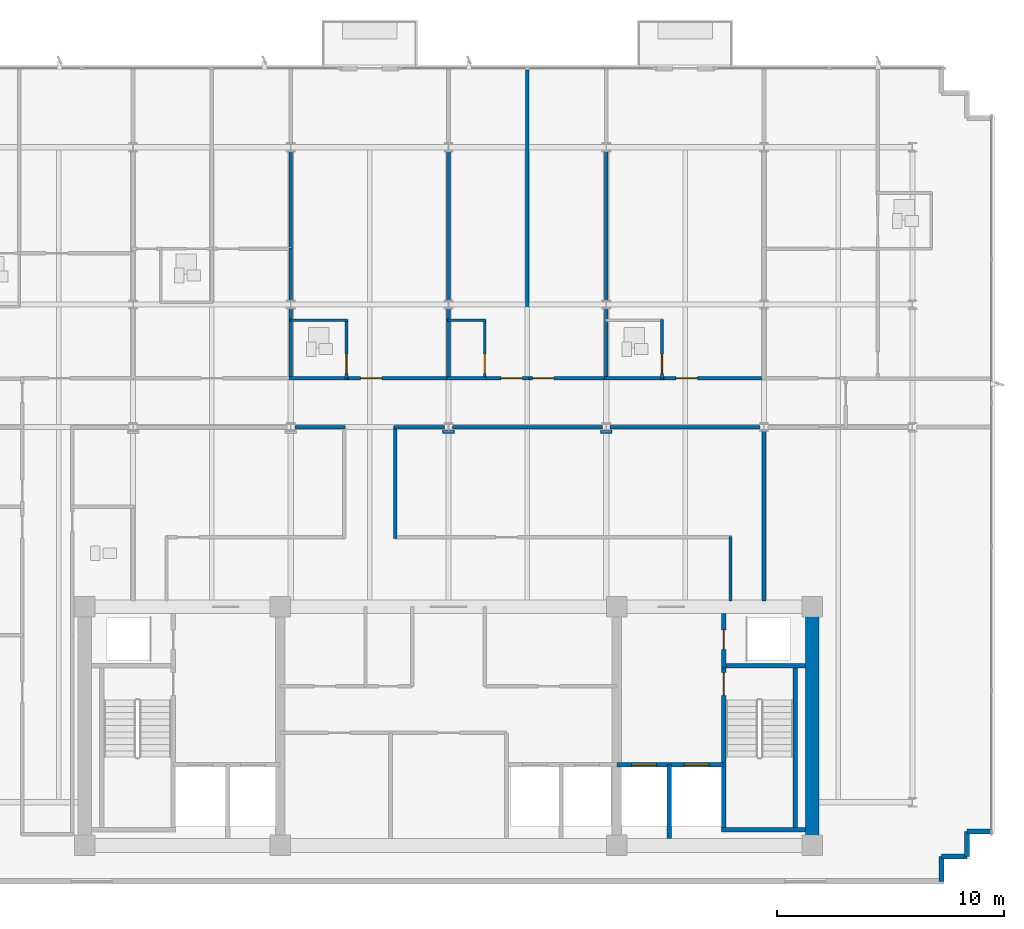
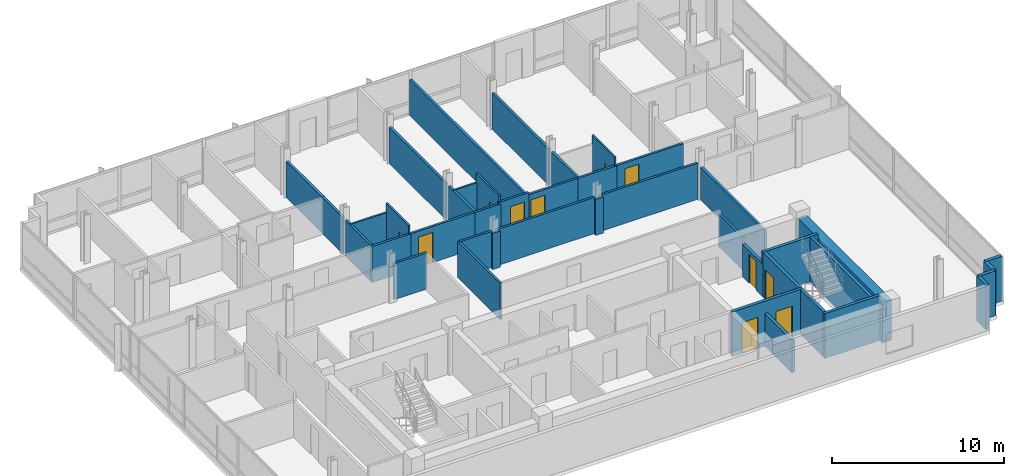
# One storey, part 10 of 14: 41 walls, 11 doors, 11 openings.
"""IFC4 building model written with IfcOpenShell, lengths in metres."""

import ifcopenshell
import ifcopenshell.guid

model = None  # the IFC model being written
_history = None  # IfcOwnerHistory: only IFC2X3 demands one
_inside = {}  # id of a spatial element -> (the spatial element, [elements in it])
_under = {}  # id of a project, library or spatial element -> (it, [spatial elements below it])
_declared = {}  # id of a project -> (the project, [libraries it declares])
_typed = {}  # id of a type object -> (the type object, [elements of that type])
_made_of = {}  # id of a material, layer set ... -> (it, [elements and type objects made of it])


def new_model(schema):
    """Start an empty IFC model of exactly this schema.

    Asked for "IFC4X3", IfcOpenShell would pick the latest addendum, in which some entities
    have other attributes; the version numbers below select the first issue.
    IFC2X3 requires an IfcOwnerHistory on every rooted entity: one is made here for all.
    """
    global model, _history
    if schema == "IFC4X3":
        model = ifcopenshell.file(schema_version=(4, 3, 0, 0))
    else:
        model = ifcopenshell.file(schema=schema)
    _inside.clear()
    _under.clear()
    _declared.clear()
    _typed.clear()
    _made_of.clear()
    _history = None
    if model.schema == "IFC2X3":
        org = make("IfcOrganization", Name="unknown")
        user = make(
            "IfcPersonAndOrganization",
            ThePerson=make("IfcPerson", FamilyName="unknown"),
            TheOrganization=org,
        )
        app = make(
            "IfcApplication",
            ApplicationDeveloper=org,
            Version="unknown",
            ApplicationFullName="unknown",
            ApplicationIdentifier="unknown",
        )
        _history = make(
            "IfcOwnerHistory",
            OwningUser=user,
            OwningApplication=app,
            ChangeAction="ADDED",
            CreationDate=0,
        )
    return model


def make(cls, **values):
    """One entity of the class cls with the attributes given. An attribute that is None is left unset."""
    return model.create_entity(
        cls, **{name: value for name, value in values.items() if value is not None}
    )


def rooted(cls, **values):
    """An entity with a GlobalId (a new one), such as an element, a storey or a relation."""
    return make(cls, GlobalId=ifcopenshell.guid.new(), OwnerHistory=_history, **values)


def si_unit(unit_type, name, prefix=None):
    """IfcSIUnit, for example si_unit("LENGTHUNIT", "METRE", prefix="MILLI")."""
    return make("IfcSIUnit", UnitType=unit_type, Prefix=prefix, Name=name)


def assignment(units):
    """IfcUnitAssignment: the units of a project."""
    return None if units is None else make("IfcUnitAssignment", Units=units)


def point(xyz):
    """IfcCartesianPoint."""
    return None if xyz is None else make("IfcCartesianPoint", Coordinates=xyz)


def direction(xyz):
    """IfcDirection."""
    return None if xyz is None else make("IfcDirection", DirectionRatios=xyz)


def frame(location, z_axis=None, x_axis=None):
    """IfcAxis2Placement3D, a coordinate frame: its origin and axes. An axis left out is left unset."""
    return make(
        "IfcAxis2Placement3D",
        Location=point(location),
        Axis=direction(z_axis),
        RefDirection=direction(x_axis),
    )


def frame_2d(location, x_axis=None):
    """IfcAxis2Placement2D, a coordinate frame in the plane: its origin and x axis."""
    return make(
        "IfcAxis2Placement2D", Location=point(location), RefDirection=direction(x_axis)
    )


def origin():
    """The frame at (0, 0, 0) with its axes left unset."""
    return frame((0.0, 0.0, 0.0))


def place(relative_to, where):
    """IfcLocalPlacement: puts the frame where relative to a parent placement (None: the world)."""
    return make(
        "IfcLocalPlacement", PlacementRelTo=relative_to, RelativePlacement=where
    )


def context(
    kind, dimensions, precision=None, world=None, true_north=None, identifier=None
):
    """IfcGeometricRepresentationContext, for example the 3D "Model" context."""
    return make(
        "IfcGeometricRepresentationContext",
        ContextIdentifier=identifier,
        ContextType=kind,
        CoordinateSpaceDimension=dimensions,
        Precision=precision,
        WorldCoordinateSystem=world,
        TrueNorth=true_north,
    )


def subcontext(parent, identifier, kind, view, scale=None):
    """IfcGeometricRepresentationSubContext, for example "Body" below "Model"."""
    return make(
        "IfcGeometricRepresentationSubContext",
        ContextIdentifier=identifier,
        ContextType=kind,
        ParentContext=parent,
        TargetScale=scale,
        TargetView=view,
    )


def project(units=None, contexts=None):
    """IfcProject with its units and contexts."""
    return rooted(
        "IfcProject",
        Name="project",
        RepresentationContexts=contexts,
        UnitsInContext=assignment(units),
    )


def spatial(cls, under=None, at=None, **own):
    """A site, building, storey or space (cls), placed at a placement, below another one or the project."""
    s = rooted(cls, ObjectPlacement=at, **own)
    if under is not None:
        _under.setdefault(under.id(), (under, []))[1].append(s)
    return s


def profile(cls, at=None, kind="AREA", **sizes):
    """A parametric profile (cls). Its sizes go by their IFC names, for example OverallWidth=200.0."""
    return make(cls, ProfileType=kind, Position=at, **sizes)


def rectangle(**sizes):
    """IfcRectangleProfileDef."""
    return profile("IfcRectangleProfileDef", **sizes)


def extrude(swept, where, along, depth):
    """IfcExtrudedAreaSolid: the profile swept, set in the frame where, extruded along a direction by depth."""
    return make(
        "IfcExtrudedAreaSolid",
        SweptArea=swept,
        Position=where,
        ExtrudedDirection=direction(along),
        Depth=depth,
    )


def shape(context_of_items, identifier, shape_type, items):
    """IfcShapeRepresentation: the items that make up one representation, for example the "Body"."""
    return make(
        "IfcShapeRepresentation",
        ContextOfItems=context_of_items,
        RepresentationIdentifier=identifier,
        RepresentationType=shape_type,
        Items=items,
    )


def material(Name=None, Category=None):
    """IfcMaterial."""
    return make("IfcMaterial", Name=Name, Category=Category)


def layer(
    of_material, thickness, ventilated=None, Name=None, Category=None, Priority=None
):
    """IfcMaterialLayer: one layer of a wall or slab, of a material (None: an air gap)."""
    return make(
        "IfcMaterialLayer",
        Material=of_material,
        LayerThickness=thickness,
        IsVentilated=ventilated,
        Name=Name,
        Category=Category,
        Priority=Priority,
    )


def layer_set(layers, Name=None):
    """IfcMaterialLayerSet."""
    return make("IfcMaterialLayerSet", MaterialLayers=layers, LayerSetName=Name)


def made_of(thing, what):
    """Note that an element or type object is made of a material, layer set ...; save() writes the relation."""
    if what is not None:
        _made_of.setdefault(what.id(), (what, []))[1].append(thing)
    return thing


def type_object(cls, material=None, **own):
    """A type object (cls), such as IfcWallType, which elements share."""
    return made_of(rooted(cls, **own), material)


def element(
    cls,
    number,
    at=None,
    inside=None,
    cuts=None,
    type_object=None,
    material=None,
    context=None,
    identifier="Body",
    shape_type=None,
    held_by="IfcProductDefinitionShape",
    body=None,
    shapes=None,
    **own,
):
    """One element of the class cls, such as IfcWall. Its Tag is "e" and its number.

    at: its placement. inside: the storey or other place that contains it. cuts: it is an
    opening in that element (IfcRelVoidsElement). A single representation is given by context,
    identifier, shape_type and body (its items); several are given by shapes. held_by: the class
    of the entity that holds the representations. save() writes the other relations.
    """
    e = rooted(cls, Tag="e%d" % number, ObjectPlacement=at, **own)
    if body is not None:
        shapes = [shape(context, identifier, shape_type, body)]
    if shapes is not None:
        e.Representation = make(held_by, Representations=shapes)
    if inside is not None:
        _inside.setdefault(inside.id(), (inside, []))[1].append(e)
    if cuts is not None:
        rooted(
            "IfcRelVoidsElement", RelatingBuildingElement=cuts, RelatedOpeningElement=e
        )
    if type_object is not None:
        _typed.setdefault(type_object.id(), (type_object, []))[1].append(e)
    return made_of(e, material)


def fill(opening, filler):
    """IfcRelFillsElement: the door or window that sits in an opening."""
    return rooted(
        "IfcRelFillsElement",
        RelatingOpeningElement=opening,
        RelatedBuildingElement=filler,
    )


def aggregate(whole, parts):
    """IfcRelAggregates: a whole, such as a stair, and the parts it consists of."""
    return rooted("IfcRelAggregates", RelatingObject=whole, RelatedObjects=parts)


def save(model, path):
    """Write the relations noted so far, then the file.

    IfcRelAggregates (storeys below a building ...), IfcRelContainedInSpatialStructure (elements
    in a storey), IfcRelDefinesByType, IfcRelAssociatesMaterial and IfcRelDeclares: one each for
    every whole, place, type object, material and project.
    """
    for whole, parts in _under.values():
        aggregate(whole, parts)
    for where, things in _inside.values():
        rooted(
            "IfcRelContainedInSpatialStructure",
            RelatedElements=things,
            RelatingStructure=where,
        )
    for kind, things in _typed.values():
        rooted("IfcRelDefinesByType", RelatedObjects=things, RelatingType=kind)
    for what, things in _made_of.values():
        rooted("IfcRelAssociatesMaterial", RelatedObjects=things, RelatingMaterial=what)
    for by, libraries in _declared.values():
        rooted("IfcRelDeclares", RelatingContext=by, RelatedDefinitions=libraries)
    model.write(path)


model = new_model("IFC4")

# Units and contexts
model_context = context("Model", 3, precision=1e-05, world=origin(), true_north=direction((0.0, 1.0)))
body_context = subcontext(model_context, "Body", "Model", "MODEL_VIEW")
ifc_project = project(units=[si_unit("LENGTHUNIT", "METRE"), si_unit("AREAUNIT", "SQUARE_METRE"), si_unit("VOLUMEUNIT", "CUBIC_METRE"), si_unit("PLANEANGLEUNIT", "RADIAN"), si_unit("MASSUNIT", "GRAM", prefix="KILO")], contexts=[model_context])

# Site, building, storey
site_placement = place(None, origin())
site = spatial("IfcSite", under=ifc_project, at=site_placement, CompositionType="ELEMENT")
building_placement = place(site_placement, origin())
building = spatial("IfcBuilding", under=site, at=building_placement, Name="Solmavex Isthmus Hotel", CompositionType="ELEMENT")
storey_placement = place(building_placement, frame((0.0, 0.0, 248.85009765625)))
storey = spatial("IfcBuildingStorey", under=building, at=storey_placement, Name="L67", CompositionType="ELEMENT", Elevation=248.85009765625)

# Walls
ifc_material_1 = material(Name="Precast Concrete C40/50", Category="concrete")
ifc_layer_1 = layer(ifc_material_1, 0.25)
ifc_layer_set_1 = layer_set([ifc_layer_1], Name="Precast Concrete C40/50")
wall_type_1 = type_object("IfcWallType", Name="EW-TWR-250", PredefinedType="STANDARD", material=ifc_layer_set_1)
wall_1_placement = place(storey_placement, frame((23.889892578125, -12.389892578125, 0.0), z_axis=(0.0, 0.0, 1.0), x_axis=(-1.0, 0.0, 0.0)))
element("IfcWall", 1, at=wall_1_placement, inside=storey, type_object=wall_type_1, Name="Serrated Corner Facade Panel L67-16", PredefinedType="STANDARD", context=body_context, shape_type="SweptSolid", body=[
    extrude(rectangle(XDim=1.099853515625, YDim=0.219970703125, at=frame_2d((0.5498046875, 0.0))), origin(), (0.0, 0.0, 1.0), 3.18994140625),
])
for number, where, z_axis, x_axis, name in (
    (2, (22.7900390625, -12.389892578125, 0.0), (0.0, 0.0, 1.0), (0.0, -1.0, 0.0), "Serrated Corner Facade Panel L67-17"),
    (3, (22.7900390625, -13.489990234375, 0.0), (0.0, 0.0, 1.0), (-1.0, 0.0, 0.0), "Serrated Corner Facade Panel L67-18"),
    (4, (21.68994140625, -13.489990234375, 0.0), (0.0, 0.0, 1.0), (0.0, -1.0, 0.0), "Serrated Corner Facade Panel L67-19"),
):
    element("IfcWall", number, at=place(storey_placement, frame(where, z_axis=z_axis, x_axis=x_axis)), inside=storey, type_object=wall_type_1, Name=name, PredefinedType="STANDARD", context=body_context, shape_type="SweptSolid", body=[
        extrude(rectangle(XDim=1.10009765625, YDim=0.219970703125, at=frame_2d((0.550048828125, 0.0))), origin(), (0.0, 0.0, 1.0), 3.18994140625),
    ])
ifc_material_2 = material(Name="Gypsum plasterboard lining", Category="gypsum")
ifc_layer_2 = layer(ifc_material_2, 0.159912109375)
ifc_layer_set_2 = layer_set([ifc_layer_2], Name="Gypsum plasterboard lining")
wall_type_2 = type_object("IfcWallType", Name="IW-COMP-160", PredefinedType="PARTITIONING", material=ifc_layer_set_2)
wall_2_placement = place(storey_placement, frame((-6.93603515625, 10.613037109375, 0.0), z_axis=(0.0, 0.0, 1.0), x_axis=(0.0, -1.0, 0.0)))
element("IfcWall", 5, at=wall_2_placement, inside=storey, type_object=wall_type_2, Name="Interior Partition Wall W-L67-P055", PredefinedType="PARTITIONING", context=body_context, shape_type="SweptSolid", body=[
    extrude(rectangle(XDim=3.10302734375, YDim=0.159912109375, at=frame_2d((1.551513671875, 0.0))), origin(), (0.0, 0.0, 1.0), 2.572265625),
])
wall_3_placement = place(storey_placement, frame((-6.93603515625, 13.278076171875, 0.0), z_axis=(0.0, 0.0, 1.0), x_axis=(0.0, -1.0, 0.0)))
element("IfcWall", 6, at=wall_3_placement, inside=storey, type_object=wall_type_2, Name="Interior Partition Wall W-L67-P056", PredefinedType="PARTITIONING", context=body_context, shape_type="SweptSolid", body=[
    extrude(rectangle(XDim=2.315185546875, YDim=0.159912109375, at=frame_2d((1.15771484375, 0.0))), origin(), (0.0, 0.0, 1.0), 2.572265625),
])
wall_4_placement = place(storey_placement, frame((-6.93603515625, 17.52490234375, 0.0), z_axis=(0.0, 0.0, 1.0), x_axis=(0.0, -1.0, 0.0)))
element("IfcWall", 7, at=wall_4_placement, inside=storey, type_object=wall_type_2, Name="Interior Partition Wall W-L67-P059", PredefinedType="PARTITIONING", context=body_context, shape_type="SweptSolid", body=[
    extrude(rectangle(XDim=4.326904296875, YDim=0.159912109375, at=frame_2d((2.16357421875, 0.0))), origin(), (0.0, 0.0, 1.0), 2.572265625),
])
wall_5_placement = place(storey_placement, frame((0.0, 10.613037109375, 0.0), z_axis=(0.0, 0.0, 1.0), x_axis=(0.0, -1.0, 0.0)))
element("IfcWall", 8, at=wall_5_placement, inside=storey, type_object=wall_type_2, Name="Interior Partition Wall W-L67-P063", PredefinedType="PARTITIONING", context=body_context, shape_type="SweptSolid", body=[
    extrude(rectangle(XDim=3.10302734375, YDim=0.159912109375, at=frame_2d((1.551513671875, 0.0))), origin(), (0.0, 0.0, 1.0), 2.572265625),
])
wall_6_placement = place(storey_placement, frame((0.0, 17.52490234375, 0.0), z_axis=(0.0, 0.0, 1.0), x_axis=(0.0, -1.0, 0.0)))
element("IfcWall", 9, at=wall_6_placement, inside=storey, type_object=wall_type_2, Name="Interior Partition Wall W-L67-P064", PredefinedType="PARTITIONING", context=body_context, shape_type="SweptSolid", body=[
    extrude(rectangle(XDim=6.56201171875, YDim=0.159912109375, at=frame_2d((3.281005859375, 0.0))), origin(), (0.0, 0.0, 1.0), 2.572265625),
])
wall_7_placement = place(storey_placement, frame((3.468017578125, 21.10009765625, 0.0), z_axis=(0.0, 0.0, 1.0), x_axis=(0.0, -1.0, 0.0)))
element("IfcWall", 10, at=wall_7_placement, inside=storey, type_object=wall_type_2, Name="Interior Partition Wall W-L67-P068", PredefinedType="PARTITIONING", context=body_context, shape_type="SweptSolid", body=[
    extrude(rectangle(XDim=13.590087890625, YDim=0.159912109375, at=frame_2d((6.794921875, 0.0))), origin(), (0.0, 0.0, 1.0), 2.557373046875),
])
wall_8_placement = place(storey_placement, frame((6.93603515625, 10.613037109375, 0.0), z_axis=(0.0, 0.0, 1.0), x_axis=(0.0, -1.0, 0.0)))
element("IfcWall", 11, at=wall_8_placement, inside=storey, type_object=wall_type_2, Name="Interior Partition Wall W-L67-P069", PredefinedType="PARTITIONING", context=body_context, shape_type="SweptSolid", body=[
    extrude(rectangle(XDim=3.10302734375, YDim=0.159912109375, at=frame_2d((1.551513671875, 0.0))), origin(), (0.0, 0.0, 1.0), 2.572265625),
])
wall_9_placement = place(storey_placement, frame((6.93603515625, 17.52490234375, 0.0), z_axis=(0.0, 0.0, 1.0), x_axis=(0.0, -1.0, 0.0)))
element("IfcWall", 12, at=wall_9_placement, inside=storey, type_object=wall_type_2, Name="Interior Partition Wall W-L67-P070", PredefinedType="PARTITIONING", context=body_context, shape_type="SweptSolid", body=[
    extrude(rectangle(XDim=6.56201171875, YDim=0.159912109375, at=frame_2d((3.281005859375, 0.0))), origin(), (0.0, 0.0, 1.0), 2.572265625),
])
wall_10_placement = place(storey_placement, frame((13.8720703125, 5.22509765625, 0.0), z_axis=(0.0, 0.0, 1.0), x_axis=(0.0, -1.0, 0.0)))
element("IfcWall", 13, at=wall_10_placement, inside=storey, type_object=wall_type_2, Name="Interior Partition Wall W-L67-P095", PredefinedType="PARTITIONING", context=body_context, shape_type="SweptSolid", body=[
    extrude(rectangle(XDim=7.465087890625, YDim=0.159912109375, at=frame_2d((3.732421875, 0.0))), origin(), (0.0, 0.0, 1.0), 2.324951171875),
])

# Wall, opening, door
ifc_layer_3 = layer(ifc_material_2, 0.14990234375)
ifc_layer_set_3 = layer_set([ifc_layer_3], Name="Gypsum plasterboard lining")
wall_type_3 = type_object("IfcWallType", Name="IW-CORR-150", PredefinedType="PARTITIONING", material=ifc_layer_set_3)
wall_11_placement = place(storey_placement, frame((-4.568115234375, 7.550048828125, 0.0), z_axis=(0.0, 0.0, 1.0), x_axis=(1.0, 0.0, 0.0)))
wall_11 = element("IfcWall", 14, at=wall_11_placement, inside=storey, type_object=wall_type_3, Name="Interior Partition Wall W-L67-P003", PredefinedType="PARTITIONING", context=body_context, shape_type="SweptSolid", body=[
    extrude(rectangle(XDim=4.650146484375, YDim=0.14990234375, at=frame_2d((2.3251953125, 0.0))), origin(), (0.0, 0.0, 1.0), 2.572265625),
])
opening_1_placement = place(wall_11_placement, frame((0.698486328125, 0.0, 0.0)))
opening_1 = element("IfcOpeningElement", 15, at=opening_1_placement, cuts=wall_11, Name="Opening ID-C095", PredefinedType="OPENING", context=body_context, shape_type="SweptSolid", body=[
    extrude(rectangle(XDim=0.949951171875, YDim=2.14990234375, at=frame_2d((0.47509765625, 1.074951171875))), frame((0.0, 0.0849609375, 0.0), z_axis=(0.0, -1.0, 0.0), x_axis=(1.0, 0.0, 0.0)), (0.0, 0.0, 1.0), 0.169921875),
])
ifc_material_3 = material(Name="Hardwood timber", Category="wood")
door_type_1 = type_object("IfcDoorType", Name="IDR-FD60-0950", OperationType="NOTDEFINED", PredefinedType="DOOR", material=ifc_material_3)
door_1_placement = place(opening_1_placement, origin())
door_1 = element("IfcDoor", 16, at=door_1_placement, inside=storey, type_object=door_type_1, Name="Premier Suite Door L67-09", OperationType="SINGLE_SWING_LEFT", OverallHeight=2.14990234375, OverallWidth=0.949951171875, PredefinedType="DOOR", context=body_context, shape_type="SweptSolid", body=[
    extrude(rectangle(XDim=0.949951171875, YDim=2.14990234375, at=frame_2d((0.47509765625, 1.074951171875))), frame((0.0, 0.02490234375, 0.0), z_axis=(0.0, -1.0, 0.0), x_axis=(1.0, 0.0, 0.0)), (0.0, 0.0, 1.0), 0.050048828125),
])
fill(opening_1, door_1)

# Wall
wall_12_placement = place(storey_placement, frame((-7.01806640625, 7.550048828125, 0.0), z_axis=(0.0, 0.0, 1.0), x_axis=(1.0, 0.0, 0.0)))
element("IfcWall", 17, at=wall_12_placement, inside=storey, type_object=wall_type_3, Name="Interior Partition Wall W-L67-P004", PredefinedType="PARTITIONING", context=body_context, shape_type="SweptSolid", body=[
    extrude(rectangle(XDim=2.614013671875, YDim=0.14990234375, at=frame_2d((1.30712890625, 0.0))), origin(), (0.0, 0.0, 1.0), 2.572265625),
])

# Wall, opening, door
wall_13_placement = place(storey_placement, frame((1.51318359375, 7.550048828125, 0.0), z_axis=(0.0, 0.0, 1.0), x_axis=(1.0, 0.0, 0.0)))
wall_13 = element("IfcWall", 18, at=wall_13_placement, inside=storey, type_object=wall_type_3, Name="Interior Partition Wall W-L67-P005", PredefinedType="PARTITIONING", context=body_context, shape_type="SweptSolid", body=[
    extrude(rectangle(XDim=2.036865234375, YDim=0.14990234375, at=frame_2d((1.0185546875, 0.0))), origin(), (0.0, 0.0, 1.0), 2.718017578125),
])
opening_2_placement = place(wall_13_placement, frame((0.789794921875, 0.0, 0.0)))
opening_2 = element("IfcOpeningElement", 19, at=opening_2_placement, cuts=wall_13, Name="Opening ID-C095", PredefinedType="OPENING", context=body_context, shape_type="SweptSolid", body=[
    extrude(rectangle(XDim=0.949951171875, YDim=2.14990234375, at=frame_2d((0.47509765625, 1.074951171875))), frame((0.0, 0.0849609375, 0.0), z_axis=(0.0, -1.0, 0.0), x_axis=(1.0, 0.0, 0.0)), (0.0, 0.0, 1.0), 0.169921875),
])
door_2_placement = place(opening_2_placement, origin())
door_2 = element("IfcDoor", 20, at=door_2_placement, inside=storey, type_object=door_type_1, Name="Diplomatic Suite Door L67-11", OperationType="SINGLE_SWING_LEFT", OverallHeight=2.14990234375, OverallWidth=0.949951171875, PredefinedType="DOOR", context=body_context, shape_type="SweptSolid", body=[
    extrude(rectangle(XDim=0.949951171875, YDim=2.14990234375, at=frame_2d((0.47509765625, 1.074951171875))), frame((0.0, 0.02490234375, 0.0), z_axis=(0.0, -1.0, 0.0), x_axis=(1.0, 0.0, 0.0)), (0.0, 0.0, 1.0), 0.050048828125),
])
fill(opening_2, door_2)

# Wall
wall_14_placement = place(storey_placement, frame((-0.08203125, 7.550048828125, 0.0), z_axis=(0.0, 0.0, 1.0), x_axis=(1.0, 0.0, 0.0)))
element("IfcWall", 21, at=wall_14_placement, inside=storey, type_object=wall_type_3, Name="Interior Partition Wall W-L67-P006", PredefinedType="PARTITIONING", context=body_context, shape_type="SweptSolid", body=[
    extrude(rectangle(XDim=1.75927734375, YDim=0.14990234375, at=frame_2d((0.879638671875, 0.0))), origin(), (0.0, 0.0, 1.0), 2.572265625),
])

# Wall, opening, door
wall_15_placement = place(storey_placement, frame((3.385986328125, 7.550048828125, 0.0), z_axis=(0.0, 0.0, 1.0), x_axis=(1.0, 0.0, 0.0)))
wall_15 = element("IfcWall", 22, at=wall_15_placement, inside=storey, type_object=wall_type_3, Name="Interior Partition Wall W-L67-P007", PredefinedType="PARTITIONING", context=body_context, shape_type="SweptSolid", body=[
    extrude(rectangle(XDim=3.632080078125, YDim=0.14990234375, at=frame_2d((1.81591796875, 0.0))), origin(), (0.0, 0.0, 1.0), 2.572265625),
])
opening_3_placement = place(wall_15_placement, frame((0.296630859375, 0.0, 0.0)))
opening_3 = element("IfcOpeningElement", 23, at=opening_3_placement, cuts=wall_15, Name="Opening ID-C095", PredefinedType="OPENING", context=body_context, shape_type="SweptSolid", body=[
    extrude(rectangle(XDim=0.949951171875, YDim=2.14990234375, at=frame_2d((0.47509765625, 1.074951171875))), frame((0.0, 0.0849609375, 0.0), z_axis=(0.0, -1.0, 0.0), x_axis=(1.0, 0.0, 0.0)), (0.0, 0.0, 1.0), 0.169921875),
])
door_3_placement = place(opening_3_placement, origin())
door_3 = element("IfcDoor", 24, at=door_3_placement, inside=storey, type_object=door_type_1, Name="Hospitality Club Lounge Door L67-13", OperationType="SINGLE_SWING_LEFT", OverallHeight=2.14990234375, OverallWidth=0.949951171875, PredefinedType="DOOR", context=body_context, shape_type="SweptSolid", body=[
    extrude(rectangle(XDim=0.949951171875, YDim=2.14990234375, at=frame_2d((0.47509765625, 1.074951171875))), frame((0.0, 0.02490234375, 0.0), z_axis=(0.0, -1.0, 0.0), x_axis=(1.0, 0.0, 0.0)), (0.0, 0.0, 1.0), 0.050048828125),
])
fill(opening_3, door_3)

wall_16_placement = place(storey_placement, frame((9.303955078125, 7.550048828125, 0.0), z_axis=(0.0, 0.0, 1.0), x_axis=(1.0, 0.0, 0.0)))
wall_16 = element("IfcWall", 25, at=wall_16_placement, inside=storey, type_object=wall_type_3, Name="Interior Partition Wall W-L67-P008", PredefinedType="PARTITIONING", context=body_context, shape_type="SweptSolid", body=[
    extrude(rectangle(XDim=4.650146484375, YDim=0.14990234375, at=frame_2d((2.3251953125, 0.0))), origin(), (0.0, 0.0, 1.0), 2.572265625),
])
opening_4_placement = place(wall_16_placement, frame((0.698486328125, 0.0, 0.0)))
opening_4 = element("IfcOpeningElement", 26, at=opening_4_placement, cuts=wall_16, Name="Opening ID-C095", PredefinedType="OPENING", context=body_context, shape_type="SweptSolid", body=[
    extrude(rectangle(XDim=0.949951171875, YDim=2.14990234375, at=frame_2d((0.47509765625, 1.074951171875))), frame((0.0, 0.0849609375, 0.0), z_axis=(0.0, -1.0, 0.0), x_axis=(1.0, 0.0, 0.0)), (0.0, 0.0, 1.0), 0.169921875),
])
door_4_placement = place(opening_4_placement, origin())
door_4 = element("IfcDoor", 27, at=door_4_placement, inside=storey, type_object=door_type_1, Name="Premier Suite Door L67-14", OperationType="SINGLE_SWING_RIGHT", OverallHeight=2.14990234375, OverallWidth=0.949951171875, PredefinedType="DOOR", context=body_context, shape_type="SweptSolid", body=[
    extrude(rectangle(XDim=0.949951171875, YDim=2.14990234375, at=frame_2d((0.47509765625, 1.074951171875))), frame((0.0, 0.02490234375, 0.0), z_axis=(0.0, -1.0, 0.0), x_axis=(1.0, 0.0, 0.0)), (0.0, 0.0, 1.0), 0.050048828125),
])
fill(opening_4, door_4)

# Walls
wall_17_placement = place(storey_placement, frame((6.85400390625, 7.550048828125, 0.0), z_axis=(0.0, 0.0, 1.0), x_axis=(1.0, 0.0, 0.0)))
element("IfcWall", 28, at=wall_17_placement, inside=storey, type_object=wall_type_3, Name="Interior Partition Wall W-L67-P009", PredefinedType="PARTITIONING", context=body_context, shape_type="SweptSolid", body=[
    extrude(rectangle(XDim=2.614013671875, YDim=0.14990234375, at=frame_2d((1.30712890625, 0.0))), origin(), (0.0, 0.0, 1.0), 2.572265625),
])
wall_18_placement = place(storey_placement, frame((-4.548095703125, 5.39990234375, 0.0), z_axis=(0.0, 0.0, 1.0), x_axis=(-1.0, 0.0, 0.0)))
element("IfcWall", 29, at=wall_18_placement, inside=storey, type_object=wall_type_3, Name="Interior Partition Wall W-L67-P019", PredefinedType="PARTITIONING", context=body_context, shape_type="SweptSolid", body=[
    extrude(rectangle(XDim=2.212890625, YDim=0.14990234375, at=frame_2d((1.1064453125, 0.0))), origin(), (0.0, 0.0, 1.0), 2.572265625),
])
wall_19_placement = place(storey_placement, frame((13.697021484375, 5.39990234375, 0.0), z_axis=(0.0, 0.0, 1.0), x_axis=(-1.0, 0.0, 0.0)))
element("IfcWall", 30, at=wall_19_placement, inside=storey, type_object=wall_type_3, Name="Interior Partition Wall W-L67-P025", PredefinedType="PARTITIONING", context=body_context, shape_type="SweptSolid", body=[
    extrude(rectangle(XDim=6.5859375, YDim=0.14990234375, at=frame_2d((3.29296875, 0.0))), origin(), (0.0, 0.0, 1.0), 2.572265625),
])
wall_20_placement = place(storey_placement, frame((7.19091796875, 5.18505859375, 0.0), z_axis=(0.0, 0.0, 1.0), x_axis=(-1.0, 0.0, 0.0)))
element("IfcWall", 31, at=wall_20_placement, inside=storey, type_object=wall_type_3, Name="Interior Partition Wall W-L67-P026", PredefinedType="PARTITIONING", context=body_context, shape_type="SweptSolid", body=[
    extrude(rectangle(XDim=0.510009765625, YDim=0.14990234375, at=frame_2d((0.2548828125, 0.0))), origin(), (0.0, 0.0, 1.0), 2.572265625),
])
wall_21_placement = place(storey_placement, frame((6.760986328125, 5.39990234375, 0.0), z_axis=(0.0, 0.0, 1.0), x_axis=(-1.0, 0.0, 0.0)))
element("IfcWall", 32, at=wall_21_placement, inside=storey, type_object=wall_type_3, Name="Interior Partition Wall W-L67-P027", PredefinedType="PARTITIONING", context=body_context, shape_type="SweptSolid", body=[
    extrude(rectangle(XDim=6.5859375, YDim=0.14990234375, at=frame_2d((3.29296875, 0.0))), origin(), (0.0, 0.0, 1.0), 2.572265625),
])
wall_22_placement = place(storey_placement, frame((0.2548828125, 5.18505859375, 0.0), z_axis=(0.0, 0.0, 1.0), x_axis=(-1.0, 0.0, 0.0)))
element("IfcWall", 33, at=wall_22_placement, inside=storey, type_object=wall_type_3, Name="Interior Partition Wall W-L67-P028", PredefinedType="PARTITIONING", context=body_context, shape_type="SweptSolid", body=[
    extrude(rectangle(XDim=0.509765625, YDim=0.14990234375, at=frame_2d((0.2548828125, 0.0))), origin(), (0.0, 0.0, 1.0), 2.572265625),
])
wall_23_placement = place(storey_placement, frame((-0.175048828125, 5.39990234375, 0.0), z_axis=(0.0, 0.0, 1.0), x_axis=(-1.0, 0.0, 0.0)))
element("IfcWall", 34, at=wall_23_placement, inside=storey, type_object=wall_type_3, Name="Interior Partition Wall W-L67-P029", PredefinedType="PARTITIONING", context=body_context, shape_type="SweptSolid", body=[
    extrude(rectangle(XDim=2.212890625, YDim=0.14990234375, at=frame_2d((1.1064453125, 0.0))), origin(), (0.0, 0.0, 1.0), 2.572265625),
])
wall_24_placement = place(storey_placement, frame((-2.347900390625, 5.43994140625, 0.0), z_axis=(0.0, 0.0, 1.0), x_axis=(0.0, -1.0, 0.0)))
element("IfcWall", 35, at=wall_24_placement, inside=storey, type_object=wall_type_3, Name="Interior Partition Wall W-L67-P030", PredefinedType="PARTITIONING", context=body_context, shape_type="SweptSolid", body=[
    extrude(rectangle(XDim=4.929931640625, YDim=0.14990234375, at=frame_2d((2.46484375, 0.0))), origin(), (0.0, 0.0, 1.0), 2.572265625),
])
wall_25_placement = place(storey_placement, frame((12.39990234375, 0.590087890625, 0.0), z_axis=(0.0, 0.0, 1.0), x_axis=(0.0, -1.0, 0.0)))
element("IfcWall", 36, at=wall_25_placement, inside=storey, type_object=wall_type_3, Name="Interior Partition Wall W-L67-P032", PredefinedType="PARTITIONING", context=body_context, shape_type="SweptSolid", body=[
    extrude(rectangle(XDim=2.830078125, YDim=0.14990234375, at=frame_2d((1.4150390625, 0.0))), origin(), (0.0, 0.0, 1.0), 2.324951171875),
])

# Wall, opening, door
ifc_layer_4 = layer(ifc_material_2, 0.1201171875)
ifc_layer_set_4 = layer_set([ifc_layer_4], Name="Gypsum plasterboard lining")
wall_type_4 = type_object("IfcWallType", Name="IW-PART-120", PredefinedType="PARTITIONING", material=ifc_layer_set_4)
wall_26_placement = place(storey_placement, frame((-4.486083984375, 7.510009765625, 0.0), z_axis=(0.0, 0.0, 1.0), x_axis=(0.0, 1.0, 0.0)))
wall_26 = element("IfcWall", 37, at=wall_26_placement, inside=storey, type_object=wall_type_4, Name="Interior Partition Wall W-L67-P061", PredefinedType="PARTITIONING", context=body_context, shape_type="SweptSolid", body=[
    extrude(rectangle(XDim=2.6298828125, YDim=0.1201171875, at=frame_2d((1.31494140625, 0.0))), origin(), (0.0, 0.0, 1.0), 3.18994140625),
])
opening_5_placement = place(wall_26_placement, frame((0.247314453125, 0.0, 0.0)))
opening_5 = element("IfcOpeningElement", 38, at=opening_5_placement, cuts=wall_26, Name="Opening ID-U085", PredefinedType="OPENING", context=body_context, shape_type="SweptSolid", body=[
    extrude(rectangle(XDim=0.85009765625, YDim=2.10009765625, at=frame_2d((0.425048828125, 1.050048828125))), frame((0.0, 0.070068359375, 0.0), z_axis=(0.0, -1.0, 0.0), x_axis=(1.0, 0.0, 0.0)), (0.0, 0.0, 1.0), 0.14013671875),
])
door_type_2 = type_object("IfcDoorType", Name="IDR-UNR-0850", OperationType="NOTDEFINED", PredefinedType="DOOR", material=ifc_material_3)
door_5_placement = place(opening_5_placement, frame((0.85009765625, 0.0, 0.0), z_axis=(0.0, 0.0, 1.0), x_axis=(-1.0, 0.0, 0.0)))
door_5 = element("IfcDoor", 39, at=door_5_placement, inside=storey, type_object=door_type_2, Name="En-suite Bathroom Door L67-10", OperationType="SINGLE_SWING_RIGHT", OverallHeight=2.10009765625, OverallWidth=0.85009765625, PredefinedType="DOOR", context=body_context, shape_type="SweptSolid", body=[
    extrude(rectangle(XDim=0.85009765625, YDim=2.10009765625, at=frame_2d((0.425048828125, 1.050048828125))), frame((0.0, 0.02490234375, 0.0), z_axis=(0.0, -1.0, 0.0), x_axis=(1.0, 0.0, 0.0)), (0.0, 0.0, 1.0), 0.050048828125),
])
fill(opening_5, door_5)

# Wall
wall_27_placement = place(storey_placement, frame((-4.446044921875, 10.10009765625, 0.0), z_axis=(0.0, 0.0, 1.0), x_axis=(-1.0, 0.0, 0.0)))
element("IfcWall", 40, at=wall_27_placement, inside=storey, type_object=wall_type_4, Name="Interior Partition Wall W-L67-P062", PredefinedType="PARTITIONING", context=body_context, shape_type="SweptSolid", body=[
    extrude(rectangle(XDim=2.530029296875, YDim=0.1201171875, at=frame_2d((1.26513671875, 0.0))), origin(), (0.0, 0.0, 1.0), 2.572265625),
])

# Wall, opening, door
wall_28_placement = place(storey_placement, frame((1.59521484375, 7.510009765625, 0.0), z_axis=(0.0, 0.0, 1.0), x_axis=(0.0, 1.0, 0.0)))
wall_28 = element("IfcWall", 41, at=wall_28_placement, inside=storey, type_object=wall_type_4, Name="Interior Partition Wall W-L67-P066", PredefinedType="PARTITIONING", context=body_context, shape_type="SweptSolid", body=[
    extrude(rectangle(XDim=2.6298828125, YDim=0.1201171875, at=frame_2d((1.31494140625, 0.0))), origin(), (0.0, 0.0, 1.0), 3.18994140625),
])
opening_6_placement = place(wall_28_placement, frame((0.247314453125, 0.0, 0.0)))
opening_6 = element("IfcOpeningElement", 42, at=opening_6_placement, cuts=wall_28, Name="Opening ID-U085", PredefinedType="OPENING", context=body_context, shape_type="SweptSolid", body=[
    extrude(rectangle(XDim=0.85009765625, YDim=2.10009765625, at=frame_2d((0.425048828125, 1.050048828125))), frame((0.0, 0.070068359375, 0.0), z_axis=(0.0, -1.0, 0.0), x_axis=(1.0, 0.0, 0.0)), (0.0, 0.0, 1.0), 0.14013671875),
])
door_6_placement = place(opening_6_placement, frame((0.85009765625, 0.0, 0.0), z_axis=(0.0, 0.0, 1.0), x_axis=(-1.0, 0.0, 0.0)))
door_6 = element("IfcDoor", 43, at=door_6_placement, inside=storey, type_object=door_type_2, Name="En-suite Bathroom Door L67-12", OperationType="SINGLE_SWING_RIGHT", OverallHeight=2.10009765625, OverallWidth=0.85009765625, PredefinedType="DOOR", context=body_context, shape_type="SweptSolid", body=[
    extrude(rectangle(XDim=0.85009765625, YDim=2.10009765625, at=frame_2d((0.425048828125, 1.050048828125))), frame((0.0, 0.02490234375, 0.0), z_axis=(0.0, -1.0, 0.0), x_axis=(1.0, 0.0, 0.0)), (0.0, 0.0, 1.0), 0.050048828125),
])
fill(opening_6, door_6)

# Wall
wall_29_placement = place(storey_placement, frame((1.63525390625, 10.10009765625, 0.0), z_axis=(0.0, 0.0, 1.0), x_axis=(-1.0, 0.0, 0.0)))
element("IfcWall", 44, at=wall_29_placement, inside=storey, type_object=wall_type_4, Name="Interior Partition Wall W-L67-P067", PredefinedType="PARTITIONING", context=body_context, shape_type="SweptSolid", body=[
    extrude(rectangle(XDim=1.67529296875, YDim=0.1201171875, at=frame_2d((0.837646484375, 0.0))), origin(), (0.0, 0.0, 1.0), 2.572265625),
])

# Wall, opening, door
wall_30_placement = place(storey_placement, frame((9.385986328125, 7.510009765625, 0.0), z_axis=(0.0, 0.0, 1.0), x_axis=(0.0, 1.0, 0.0)))
wall_30 = element("IfcWall", 45, at=wall_30_placement, inside=storey, type_object=wall_type_4, Name="Interior Partition Wall W-L67-P072", PredefinedType="PARTITIONING", context=body_context, shape_type="SweptSolid", body=[
    extrude(rectangle(XDim=2.6298828125, YDim=0.1201171875, at=frame_2d((1.31494140625, 0.0))), origin(), (0.0, 0.0, 1.0), 3.18994140625),
])
opening_7_placement = place(wall_30_placement, frame((0.247314453125, 0.0, 0.0)))
opening_7 = element("IfcOpeningElement", 46, at=opening_7_placement, cuts=wall_30, Name="Opening ID-U085", PredefinedType="OPENING", context=body_context, shape_type="SweptSolid", body=[
    extrude(rectangle(XDim=0.85009765625, YDim=2.10009765625, at=frame_2d((0.425048828125, 1.050048828125))), frame((0.0, 0.070068359375, 0.0), z_axis=(0.0, -1.0, 0.0), x_axis=(1.0, 0.0, 0.0)), (0.0, 0.0, 1.0), 0.14013671875),
])
door_7_placement = place(opening_7_placement, frame((0.85009765625, 0.0, 0.0), z_axis=(0.0, 0.0, 1.0), x_axis=(-1.0, 0.0, 0.0)))
door_7 = element("IfcDoor", 47, at=door_7_placement, inside=storey, type_object=door_type_2, Name="En-suite Bathroom Door L67-15", OperationType="SINGLE_SWING_LEFT", OverallHeight=2.10009765625, OverallWidth=0.85009765625, PredefinedType="DOOR", context=body_context, shape_type="SweptSolid", body=[
    extrude(rectangle(XDim=0.85009765625, YDim=2.10009765625, at=frame_2d((0.425048828125, 1.050048828125))), frame((0.0, 0.02490234375, 0.0), z_axis=(0.0, -1.0, 0.0), x_axis=(1.0, 0.0, 0.0)), (0.0, 0.0, 1.0), 0.050048828125),
])
fill(opening_7, door_7)

ifc_material_4 = material(Name="Concrete C40/50", Category="concrete")
ifc_layer_5 = layer(ifc_material_4, 0.199951171875)
ifc_layer_set_5 = layer_set([ifc_layer_5], Name="Concrete C40/50")
wall_type_5 = type_object("IfcWallType", Name="IW-SHAFT-200", PredefinedType="PARTITIONING", material=ifc_layer_set_5)
wall_31_placement = place(storey_placement, frame((12.10009765625, -5.199951171875, 0.0), z_axis=(0.0, 0.0, 1.0), x_axis=(0.0, 1.0, 0.0)))
wall_31 = element("IfcWall", 48, at=wall_31_placement, inside=storey, type_object=wall_type_5, Name="Interior Partition Wall W-L67-RSE-W", PredefinedType="PARTITIONING", context=body_context, shape_type="SweptSolid", body=[
    extrude(rectangle(XDim=2.39990234375, YDim=0.199951171875, at=frame_2d((1.199951171875, 0.0))), origin(), (0.0, 0.0, 1.0), 2.324951171875),
])
opening_8_placement = place(wall_31_placement, frame((0.824951171875, 0.0, 0.0)))
opening_8 = element("IfcOpeningElement", 49, at=opening_8_placement, cuts=wall_31, Name="Opening ID-R085", PredefinedType="OPENING", context=body_context, shape_type="SweptSolid", body=[
    extrude(rectangle(XDim=0.85009765625, YDim=2.050048828125, at=frame_2d((0.425048828125, 1.02490234375))), frame((0.0, 0.10986328125, 0.0), z_axis=(0.0, -1.0, 0.0), x_axis=(1.0, 0.0, 0.0)), (0.0, 0.0, 1.0), 0.219970703125),
])
ifc_material_5 = material(Name="Steel ASTM A500 Grade C", Category="steel")
door_type_3 = type_object("IfcDoorType", Name="IDR-FD60-0850", OperationType="NOTDEFINED", PredefinedType="DOOR", material=ifc_material_5)
door_8_placement = place(opening_8_placement, frame((0.85009765625, 0.0, 0.0), z_axis=(0.0, 0.0, 1.0), x_axis=(-1.0, 0.0, 0.0)))
door_8 = element("IfcDoor", 50, at=door_8_placement, inside=storey, type_object=door_type_3, Name="Mechanical Riser Door L67", OperationType="SINGLE_SWING_LEFT", OverallHeight=2.050048828125, OverallWidth=0.85009765625, PredefinedType="DOOR", context=body_context, shape_type="SweptSolid", body=[
    extrude(rectangle(XDim=0.85009765625, YDim=2.050048828125, at=frame_2d((0.425048828125, 1.02490234375))), frame((0.0, 0.02490234375, 0.0), z_axis=(0.0, -1.0, 0.0), x_axis=(1.0, 0.0, 0.0)), (0.0, 0.0, 1.0), 0.050048828125),
])
fill(opening_8, door_8)

# Wall, openings, doors
wall_32_placement = place(storey_placement, frame((7.39990234375, -9.449951171875, 0.0), z_axis=(0.0, 0.0, 1.0), x_axis=(1.0, 0.0, 0.0)))
wall_32 = element("IfcWall", 51, at=wall_32_placement, inside=storey, type_object=wall_type_5, Name="Interior Partition Wall W-L67-FFLE-S", PredefinedType="PARTITIONING", context=body_context, shape_type="SweptSolid", body=[
    extrude(rectangle(XDim=4.7001953125, YDim=0.199951171875, at=frame_2d((2.35009765625, 0.0))), origin(), (0.0, 0.0, 1.0), 3.18994140625),
])
opening_9_placement = place(wall_32_placement, frame((2.949951171875, 0.0, 0.0)))
opening_9 = element("IfcOpeningElement", 52, at=opening_9_placement, cuts=wall_32, Name="Opening LD-FF", PredefinedType="OPENING", context=body_context, shape_type="SweptSolid", body=[
    extrude(rectangle(XDim=1.10009765625, YDim=2.199951171875, at=frame_2d((0.550048828125, 1.10009765625))), frame((0.0, 0.10986328125, 0.0), z_axis=(0.0, -1.0, 0.0), x_axis=(1.0, 0.0, 0.0)), (0.0, 0.0, 1.0), 0.219970703125),
])
opening_10_placement = place(wall_32_placement, frame((0.64990234375, 0.0, 0.0)))
opening_10 = element("IfcOpeningElement", 53, at=opening_10_placement, cuts=wall_32, Name="Opening LD-SV", PredefinedType="OPENING", context=body_context, shape_type="SweptSolid", body=[
    extrude(rectangle(XDim=1.10009765625, YDim=2.199951171875, at=frame_2d((0.550048828125, 1.10009765625))), frame((0.0, 0.10986328125, 0.0), z_axis=(0.0, -1.0, 0.0), x_axis=(1.0, 0.0, 0.0)), (0.0, 0.0, 1.0), 0.219970703125),
])
ifc_material_6 = material(Name="Stainless steel 316", Category="steel")
door_type_4 = type_object("IfcDoorType", Name="LDR-FF-1100", OperationType="NOTDEFINED", PredefinedType="DOOR", material=ifc_material_6)
door_9_placement = place(opening_9_placement, origin())
door_9 = element("IfcDoor", 54, at=door_9_placement, inside=storey, type_object=door_type_4, Name="Lift Landing Door FFL-2 L67", OperationType="SLIDING_TO_LEFT", OverallHeight=2.199951171875, OverallWidth=1.10009765625, PredefinedType="DOOR", context=body_context, shape_type="SweptSolid", body=[
    extrude(rectangle(XDim=1.10009765625, YDim=2.199951171875, at=frame_2d((0.550048828125, 1.10009765625))), frame((0.0, 0.02490234375, 0.0), z_axis=(0.0, -1.0, 0.0), x_axis=(1.0, 0.0, 0.0)), (0.0, 0.0, 1.0), 0.050048828125),
])
fill(opening_9, door_9)
door_type_5 = type_object("IfcDoorType", Name="LDR-SV-1100", OperationType="NOTDEFINED", PredefinedType="DOOR", material=ifc_material_6)
door_10_placement = place(opening_10_placement, origin())
door_10 = element("IfcDoor", 55, at=door_10_placement, inside=storey, type_object=door_type_5, Name="Lift Landing Door SVL-2 L67", OperationType="SLIDING_TO_RIGHT", OverallHeight=2.199951171875, OverallWidth=1.10009765625, PredefinedType="DOOR", context=body_context, shape_type="SweptSolid", body=[
    extrude(rectangle(XDim=1.10009765625, YDim=2.199951171875, at=frame_2d((0.550048828125, 1.10009765625))), frame((0.0, 0.02490234375, 0.0), z_axis=(0.0, -1.0, 0.0), x_axis=(1.0, 0.0, 0.0)), (0.0, 0.0, 1.0), 0.050048828125),
])
fill(opening_10, door_10)

# Walls
wall_33_placement = place(storey_placement, frame((9.699951171875, -12.699951171875, 0.0), z_axis=(0.0, 0.0, 1.0), x_axis=(0.0, 1.0, 0.0)))
element("IfcWall", 56, at=wall_33_placement, inside=storey, type_object=wall_type_5, Name="Interior Partition Wall W-L67-FFLE-M", PredefinedType="PARTITIONING", context=body_context, shape_type="SweptSolid", body=[
    extrude(rectangle(XDim=3.25, YDim=0.199951171875, at=frame_2d((1.625, 0.0))), origin(), (0.0, 0.0, 1.0), 2.324951171875),
])
ifc_material_7 = material(Name="Concrete C50/60", Category="concrete")
ifc_layer_6 = layer(ifc_material_7, 0.60009765625)
ifc_layer_set_6 = layer_set([ifc_layer_6], Name="Concrete C50/60")
wall_type_6 = type_object("IfcWallType", Name="WALL-CW-600", PredefinedType="SHEAR", material=ifc_layer_set_6)
wall_34_placement = place(storey_placement, frame((16.0, -12.699951171875, 0.0), z_axis=(0.0, 0.0, 1.0), x_axis=(0.0, 1.0, 0.0)))
element("IfcWall", 57, at=wall_34_placement, inside=storey, type_object=wall_type_6, Name="Core Shear Wall East L67", PredefinedType="SHEAR", context=body_context, shape_type="SweptSolid", body=[
    extrude(rectangle(XDim=9.89990234375, YDim=0.60009765625, at=frame_2d((4.949951171875, 0.0))), origin(), (0.0, 0.0, 1.0), 2.909912109375),
])
ifc_layer_7 = layer(ifc_material_4, 0.199951171875)
ifc_layer_set_7 = layer_set([ifc_layer_7], Name="Concrete C40/50")
wall_type_7 = type_object("IfcWallType", Name="WALL-SW-200", PredefinedType="SOLIDWALL", material=ifc_layer_set_7)
for number, where, z_axis, x_axis, name in (
    (58, (12.0, -12.300048828125, 0.0), (0.0, 0.0, 1.0), (1.0, 0.0, 0.0), "Stairwell Structural Wall SW-L67-ST2-S"),
    (59, (12.0, -5.10009765625, 0.0), (0.0, 0.0, 1.0), (1.0, 0.0, 0.0), "Stairwell Structural Wall SW-L67-ST2-N"),
):
    element("IfcWall", number, at=place(storey_placement, frame(where, z_axis=z_axis, x_axis=x_axis)), inside=storey, type_object=wall_type_7, Name=name, PredefinedType="SOLIDWALL", context=body_context, shape_type="SweptSolid", body=[
        extrude(rectangle(XDim=3.699951171875, YDim=0.199951171875, at=frame_2d((1.85009765625, 0.0))), origin(), (0.0, 0.0, 1.0), 3.18994140625),
    ])

# Wall, opening, door
wall_35_placement = place(storey_placement, frame((12.10009765625, -12.199951171875, 0.0), z_axis=(0.0, 0.0, 1.0), x_axis=(0.0, 1.0, 0.0)))
wall_35 = element("IfcWall", 60, at=wall_35_placement, inside=storey, type_object=wall_type_7, Name="Stairwell Structural Wall SW-L67-ST2-W", PredefinedType="SOLIDWALL", context=body_context, shape_type="SweptSolid", body=[
    extrude(rectangle(XDim=7.0, YDim=0.199951171875, at=frame_2d((3.5, 0.0))), origin(), (0.0, 0.0, 1.0), 3.18994140625),
])
opening_11_placement = place(wall_35_placement, frame((5.800048828125, 0.0, 0.0)))
opening_11 = element("IfcOpeningElement", 61, at=opening_11_placement, cuts=wall_35, Name="Opening ID-F100", PredefinedType="OPENING", context=body_context, shape_type="SweptSolid", body=[
    extrude(rectangle(XDim=1.0, YDim=2.10009765625, at=frame_2d((0.5, 1.050048828125))), frame((0.0, 0.10986328125, 0.0), z_axis=(0.0, -1.0, 0.0), x_axis=(1.0, 0.0, 0.0)), (0.0, 0.0, 1.0), 0.219970703125),
])
door_type_6 = type_object("IfcDoorType", Name="IDR-FD90-1000", OperationType="NOTDEFINED", PredefinedType="DOOR", material=ifc_material_5)
door_11_placement = place(opening_11_placement, origin())
door_11 = element("IfcDoor", 62, at=door_11_placement, inside=storey, type_object=door_type_6, Name="Stair ST-2 Fire Door L67", OperationType="SINGLE_SWING_RIGHT", OverallHeight=2.10009765625, OverallWidth=1.0, PredefinedType="DOOR", context=body_context, shape_type="SweptSolid", body=[
    extrude(rectangle(XDim=1.0, YDim=2.10009765625, at=frame_2d((0.5, 1.050048828125))), frame((0.0, 0.02490234375, 0.0), z_axis=(0.0, -1.0, 0.0), x_axis=(1.0, 0.0, 0.0)), (0.0, 0.0, 1.0), 0.050048828125),
])
fill(opening_11, door_11)

# Wall
wall_36_placement = place(storey_placement, frame((15.25, -12.199951171875, 0.0), z_axis=(0.0, 0.0, 1.0), x_axis=(0.0, 1.0, 0.0)))
element("IfcWall", 63, at=wall_36_placement, inside=storey, type_object=wall_type_7, Name="Stairwell Structural Wall SW-L67-ST2-E", PredefinedType="SOLIDWALL", context=body_context, shape_type="SweptSolid", body=[
    extrude(rectangle(XDim=7.0, YDim=0.199951171875, at=frame_2d((3.5, 0.0))), origin(), (0.0, 0.0, 1.0), 3.18994140625),
])

save(model, "model.ifc")
